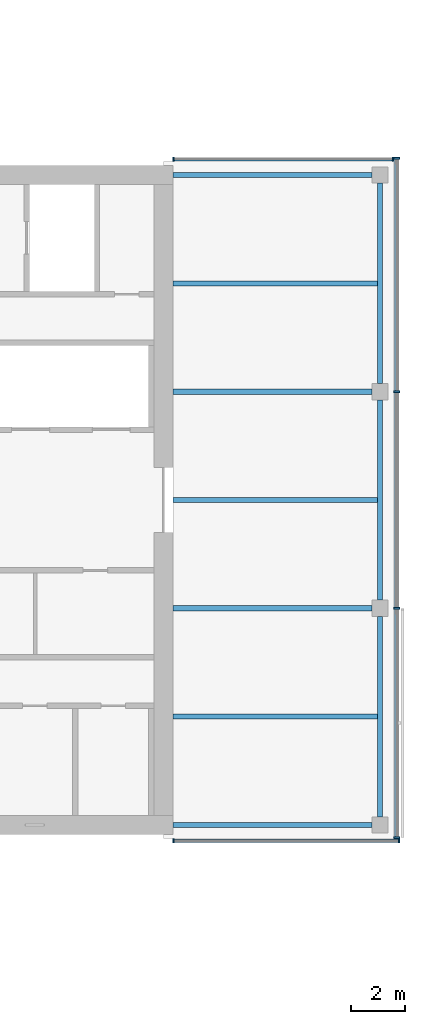
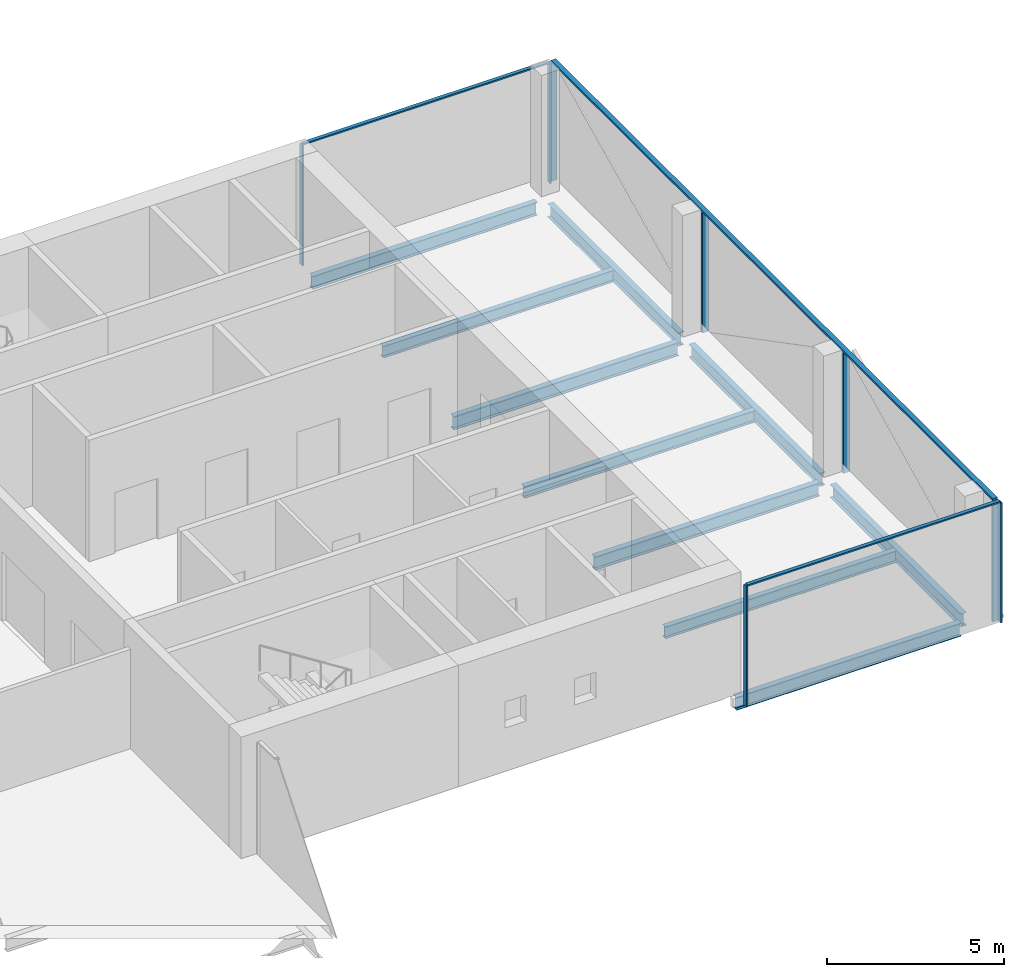
# One storey, part 11 of 22: 11 members, 10 beams, 3 elements without a shape of their own.
"""IFC4 building model written with IfcOpenShell, lengths in metres."""

from ifc_helpers import new_model, si_unit, direction, frame, origin, origin_2d, place, context, subcontext, project, spatial, rectangle, i_section, extrude, material, material_profile, profile_set, type_object, element, aggregate, save


model = new_model("IFC4")

# Units and contexts
model_context = context("Model", 3, precision=1e-05, world=origin(), true_north=direction((0.0, 1.0)))
body_context = subcontext(model_context, "Body", "Model", "MODEL_VIEW")
ifc_project = project(units=[si_unit("LENGTHUNIT", "METRE"), si_unit("AREAUNIT", "SQUARE_METRE"), si_unit("VOLUMEUNIT", "CUBIC_METRE"), si_unit("PLANEANGLEUNIT", "RADIAN"), si_unit("MASSUNIT", "GRAM", prefix="KILO")], contexts=[model_context])

# Site, building, storey
site_placement = place(None, origin())
site = spatial("IfcSite", under=ifc_project, at=site_placement, CompositionType="ELEMENT")
building_placement = place(site_placement, origin())
building = spatial("IfcBuilding", under=site, at=building_placement, Name="Crosswind Convention Tower", CompositionType="ELEMENT")
storey_placement = place(building_placement, frame((0.0, 0.0, 158.89990234375)))
storey = spatial("IfcBuildingStorey", under=building, at=storey_placement, Name="L33", CompositionType="ELEMENT", Elevation=158.89990234375)

# Beams
ifc_material_1 = material(Name="Steel S355", Category="steel")
ifc_material_profile_1 = material_profile(ifc_material_1, i_section(OverallWidth=0.18994140625, OverallDepth=0.45361328125, WebThickness=0.008544921875, FlangeThickness=0.0126953125, FilletRadius=0.01025390625, at=origin_2d()), Name="UB 457x191x67")
ifc_profile_set_1 = profile_set([ifc_material_profile_1], Name="Steel S355")
beam_type_1 = type_object("IfcBeamType", Name="Edge beam UB 457x191x67", PredefinedType="SPANDREL", material=ifc_profile_set_1)
for number, where, z_axis, x_axis, name in (
    (1, (153.35009765625, 88.0, -0.526611328125), (1.0, 0.0, 0.0), (0.0, 1.0, 0.0), "B16 L33 edge beam 20"),
    (2, (153.35009765625, 112.0, -0.526611328125), (1.0, 0.0, 0.0), (0.0, 1.0, 0.0), "B16 L33 edge beam 21"),
):
    element("IfcBeam", number, at=place(storey_placement, frame(where, z_axis=z_axis, x_axis=x_axis)), inside=storey, type_object=beam_type_1, Name=name, PredefinedType="SPANDREL", context=body_context, shape_type="SweptSolid", body=[
        extrude(i_section(OverallWidth=0.18994140625, OverallDepth=0.45361328125, WebThickness=0.008544921875, FlangeThickness=0.0126953125, FilletRadius=0.01025390625, at=origin_2d()), origin(), (0.0, 0.0, 1.0), 7.349853515625),
    ])
for number, where, z_axis, x_axis, name in (
    (3, (161.0, 88.300048828125, -0.526611328125), (0.0, 1.0, 0.0), (-1.0, 0.0, 0.0), "B16 L33 edge beam 22"),
    (4, (161.0, 96.300048828125, -0.526611328125), (0.0, 1.0, 0.0), (-1.0, 0.0, 0.0), "B16 L33 edge beam 23"),
    (5, (161.0, 104.300048828125, -0.526611328125), (0.0, 1.0, 0.0), (-1.0, 0.0, 0.0), "B16 L33 edge beam 24"),
):
    element("IfcBeam", number, at=place(storey_placement, frame(where, z_axis=z_axis, x_axis=x_axis)), inside=storey, type_object=beam_type_1, Name=name, PredefinedType="SPANDREL", context=body_context, shape_type="SweptSolid", body=[
        extrude(i_section(OverallWidth=0.18994140625, OverallDepth=0.45361328125, WebThickness=0.008544921875, FlangeThickness=0.0126953125, FilletRadius=0.01025390625, at=origin_2d()), origin(), (0.0, 0.0, 1.0), 7.39990234375),
    ])
ifc_material_profile_2 = material_profile(ifc_material_1, i_section(OverallWidth=0.19189453125, OverallDepth=0.463623046875, WebThickness=0.010498046875, FlangeThickness=0.017578125, FilletRadius=0.01025390625, at=origin_2d()), Name="UB 457x191x90")
ifc_profile_set_2 = profile_set([ifc_material_profile_2], Name="Steel S355")
beam_type_2 = type_object("IfcBeamType", Name="Girder at core wall UB 457x191x90", PredefinedType="BEAM", material=ifc_profile_set_2)
for number, where, z_axis, x_axis, name in (
    (6, (153.35009765625, 96.0, -0.53173828125), (1.0, 0.0, 0.0), (0.0, 1.0, 0.0), "B24 L33 girder at core wall 11"),
    (7, (153.35009765625, 104.0, -0.53173828125), (1.0, 0.0, 0.0), (0.0, 1.0, 0.0), "B24 L33 girder at core wall 12"),
):
    element("IfcBeam", number, at=place(storey_placement, frame(where, z_axis=z_axis, x_axis=x_axis)), inside=storey, type_object=beam_type_2, Name=name, PredefinedType="BEAM", context=body_context, shape_type="SweptSolid", body=[
        extrude(i_section(OverallWidth=0.19189453125, OverallDepth=0.463623046875, WebThickness=0.010498046875, FlangeThickness=0.017578125, FilletRadius=0.01025390625, at=origin_2d()), origin(), (0.0, 0.0, 1.0), 7.349853515625),
    ])

# Curtain wall, members
ifc_material_2 = material(Name="Aluminium unitised curtain wall", Category="aluminium")
curtain_wall_type_1 = type_object("IfcCurtainWallType", Name="CORE END SLOT WALL 160", PredefinedType="USERDEFINED", material=ifc_material_2)
curtain_wall_1_placement = place(storey_placement, origin())
curtain_wall_1 = element("IfcCurtainWall", 8, at=curtain_wall_1_placement, inside=storey, type_object=curtain_wall_type_1, Name="CW6 L33 E-N.1-1 slot", ObjectType="UNITISED", PredefinedType="USERDEFINED")
ifc_material_3 = material(Name="Aluminium mullion", Category="aluminium")
ifc_material_profile_3 = material_profile(ifc_material_3, rectangle(XDim=0.159912109375, YDim=0.050048828125, at=origin_2d()), Name="AL 160X50")
ifc_profile_set_3 = profile_set([ifc_material_profile_3], Name="Aluminium mullion")
member_type_1 = type_object("IfcMemberType", Name="MULLION 50X160", PredefinedType="MULLION", material=ifc_profile_set_3)
member_1_placement = place(storey_placement, frame((161.47509765625, 112.580078125, -0.2998046875), z_axis=(0.0, 0.0, 1.0), x_axis=(0.0, 1.0, 0.0)))
member_1 = element("IfcMember", 9, at=member_1_placement, type_object=member_type_1, Name="CW6 mullion 1", PredefinedType="MULLION", context=body_context, shape_type="SweptSolid", body=[
    extrude(rectangle(XDim=0.159912109375, YDim=0.050048828125, at=origin_2d()), origin(), (0.0, 0.0, 1.0), 4.14990234375),
])
member_2_placement = place(storey_placement, frame((153.375, 112.580078125, -0.2998046875), z_axis=(0.0, 0.0, 1.0), x_axis=(0.0, 1.0, 0.0)))
member_2 = element("IfcMember", 10, at=member_2_placement, type_object=member_type_1, Name="CW6 mullion 2", PredefinedType="MULLION", context=body_context, shape_type="SweptSolid", body=[
    extrude(rectangle(XDim=0.159912109375, YDim=0.050048828125, at=origin_2d()), origin(), (0.0, 0.0, 1.0), 4.14990234375),
])

curtain_wall_2_placement = place(storey_placement, origin())
curtain_wall_2 = element("IfcCurtainWall", 11, at=curtain_wall_2_placement, inside=storey, type_object=curtain_wall_type_1, Name="CW6 L33 E-S.2-1 slot", ObjectType="UNITISED", PredefinedType="USERDEFINED")
member_3_placement = place(storey_placement, frame((153.375, 87.419921875, -0.2998046875), z_axis=(0.0, 0.0, 1.0), x_axis=(0.0, -1.0, 0.0)))
member_3 = element("IfcMember", 12, at=member_3_placement, type_object=member_type_1, Name="CW6 mullion 1", PredefinedType="MULLION", context=body_context, shape_type="SweptSolid", body=[
    extrude(rectangle(XDim=0.159912109375, YDim=0.050048828125, at=origin_2d()), origin(), (0.0, 0.0, 1.0), 4.14990234375),
])
member_4_placement = place(storey_placement, frame((161.695068359375, 87.419921875, -0.2998046875), z_axis=(0.0, 0.0, 1.0), x_axis=(0.0, -1.0, 0.0)))
member_4 = element("IfcMember", 13, at=member_4_placement, type_object=member_type_1, Name="CW6 mullion 2", PredefinedType="MULLION", context=body_context, shape_type="SweptSolid", body=[
    extrude(rectangle(XDim=0.159912109375, YDim=0.050048828125, at=origin_2d()), origin(), (0.0, 0.0, 1.0), 4.14990234375),
])

curtain_wall_type_2 = type_object("IfcCurtainWallType", Name="OFFICE UNITISED WALL 220", PredefinedType="USERDEFINED", material=ifc_material_2)
curtain_wall_3_placement = place(storey_placement, origin())
curtain_wall_3 = element("IfcCurtainWall", 14, at=curtain_wall_3_placement, inside=storey, type_object=curtain_wall_type_2, Name="CW3 L33 E-TIP 1", ObjectType="UNITISED", PredefinedType="USERDEFINED")
ifc_material_profile_4 = material_profile(ifc_material_3, rectangle(XDim=0.219970703125, YDim=0.070068359375, at=origin_2d()), Name="AL 220X70")
ifc_profile_set_4 = profile_set([ifc_material_profile_4], Name="Aluminium mullion")
member_type_2 = type_object("IfcMemberType", Name="MULLION 70X220", PredefinedType="MULLION", material=ifc_profile_set_4)
member_5_placement = place(storey_placement, frame((161.610107421875, 87.534912109375, -0.2998046875), z_axis=(0.0, 0.0, 1.0), x_axis=(1.0, 0.0, 0.0)))
member_5 = element("IfcMember", 15, at=member_5_placement, type_object=member_type_2, Name="CW3 mullion 1", PredefinedType="MULLION", context=body_context, shape_type="SweptSolid", body=[
    extrude(rectangle(XDim=0.219970703125, YDim=0.070068359375, at=origin_2d()), origin(), (0.0, 0.0, 1.0), 4.1298828125),
])
member_6_placement = place(storey_placement, frame((161.610107421875, 96.0, -0.2998046875), z_axis=(0.0, 0.0, 1.0), x_axis=(1.0, 0.0, 0.0)))
member_6 = element("IfcMember", 16, at=member_6_placement, type_object=member_type_2, Name="CW3 mullion 2", PredefinedType="MULLION", context=body_context, shape_type="SweptSolid", body=[
    extrude(rectangle(XDim=0.219970703125, YDim=0.070068359375, at=origin_2d()), origin(), (0.0, 0.0, 1.0), 4.1298828125),
])
member_7_placement = place(storey_placement, frame((161.610107421875, 104.0, -0.2998046875), z_axis=(0.0, 0.0, 1.0), x_axis=(1.0, 0.0, 0.0)))
member_7 = element("IfcMember", 17, at=member_7_placement, type_object=member_type_2, Name="CW3 mullion 3", PredefinedType="MULLION", context=body_context, shape_type="SweptSolid", body=[
    extrude(rectangle(XDim=0.219970703125, YDim=0.070068359375, at=origin_2d()), origin(), (0.0, 0.0, 1.0), 4.1298828125),
])
member_8_placement = place(storey_placement, frame((161.610107421875, 112.625, -0.2998046875), z_axis=(0.0, 0.0, 1.0), x_axis=(1.0, 0.0, 0.0)))
member_8 = element("IfcMember", 18, at=member_8_placement, type_object=member_type_2, Name="CW3 mullion 4", PredefinedType="MULLION", context=body_context, shape_type="SweptSolid", body=[
    extrude(rectangle(XDim=0.219970703125, YDim=0.070068359375, at=origin_2d()), origin(), (0.0, 0.0, 1.0), 4.1298828125),
])

# Beams
ifc_material_profile_5 = material_profile(ifc_material_1, i_section(OverallWidth=0.177734375, OverallDepth=0.406494140625, WebThickness=0.0078125, FlangeThickness=0.0126953125, FilletRadius=0.01025390625, at=origin_2d()), Name="UB 406x178x60")
ifc_profile_set_5 = profile_set([ifc_material_profile_5], Name="Steel S355")
beam_type_3 = type_object("IfcBeamType", Name="Secondary beam UB 406x178x60", PredefinedType="JOIST", material=ifc_profile_set_5)
for number, where, z_axis, x_axis, name in (
    (19, (153.35009765625, 92.0, -0.503173828125), (1.0, 0.0, 0.0), (0.0, 1.0, 0.0), "B10 L33 secondary beam 25"),
    (20, (153.35009765625, 100.0, -0.503173828125), (1.0, 0.0, 0.0), (0.0, 1.0, 0.0), "B10 L33 secondary beam 26"),
    (21, (153.35009765625, 108.0, -0.503173828125), (1.0, 0.0, 0.0), (0.0, 1.0, 0.0), "B10 L33 secondary beam 27"),
):
    element("IfcBeam", number, at=place(storey_placement, frame(where, z_axis=z_axis, x_axis=x_axis)), inside=storey, type_object=beam_type_3, Name=name, PredefinedType="JOIST", context=body_context, shape_type="SweptSolid", body=[
        extrude(i_section(OverallWidth=0.177734375, OverallDepth=0.406494140625, WebThickness=0.0078125, FlangeThickness=0.0126953125, FilletRadius=0.01025390625, at=origin_2d()), origin(), (0.0, 0.0, 1.0), 7.554931640625),
    ])

# Member
ifc_material_4 = material(Name="Aluminium transom", Category="aluminium")
ifc_material_profile_6 = material_profile(ifc_material_4, rectangle(XDim=0.1201171875, YDim=0.050048828125, at=origin_2d()), Name="AL 120X50")
ifc_profile_set_6 = profile_set([ifc_material_profile_6], Name="Aluminium transom")
member_type_3 = type_object("IfcMemberType", Name="TRANSOM 50X120", PredefinedType="USERDEFINED", material=ifc_profile_set_6)
member_9_placement = place(storey_placement, frame((161.449951171875, 112.580078125, 3.875), z_axis=(-1.0, 0.0, 0.0), x_axis=(0.0, -1.0, 0.0)))
member_9 = element("IfcMember", 22, at=member_9_placement, type_object=member_type_3, Name="CW6 transom", ObjectType="TRANSOM", PredefinedType="USERDEFINED", context=body_context, shape_type="SweptSolid", body=[
    extrude(rectangle(XDim=0.1201171875, YDim=0.050048828125, at=origin_2d()), origin(), (0.0, 0.0, 1.0), 8.050048828125),
])

aggregate(curtain_wall_1, [member_1, member_2, member_9])

member_10_placement = place(storey_placement, frame((153.39990234375, 87.419921875, 3.875), z_axis=(1.0, 0.0, 0.0), x_axis=(0.0, 1.0, 0.0)))
member_10 = element("IfcMember", 23, at=member_10_placement, type_object=member_type_3, Name="CW6 transom", ObjectType="TRANSOM", PredefinedType="USERDEFINED", context=body_context, shape_type="SweptSolid", body=[
    extrude(rectangle(XDim=0.1201171875, YDim=0.050048828125, at=origin_2d()), origin(), (0.0, 0.0, 1.0), 8.27001953125),
])

aggregate(curtain_wall_2, [member_3, member_4, member_10])

ifc_material_profile_7 = material_profile(ifc_material_4, rectangle(XDim=0.159912109375, YDim=0.070068359375, at=origin_2d()), Name="AL 160X70")
ifc_profile_set_7 = profile_set([ifc_material_profile_7], Name="Aluminium transom")
member_type_4 = type_object("IfcMemberType", Name="TRANSOM 70X160", PredefinedType="USERDEFINED", material=ifc_profile_set_7)
member_11_placement = place(storey_placement, frame((161.610107421875, 87.570068359375, 3.864990234375), z_axis=(0.0, 1.0, 0.0), x_axis=(-1.0, 0.0, 0.0)))
member_11 = element("IfcMember", 24, at=member_11_placement, type_object=member_type_4, Name="CW3 transom", ObjectType="TRANSOM", PredefinedType="USERDEFINED", context=body_context, shape_type="SweptSolid", body=[
    extrude(rectangle(XDim=0.159912109375, YDim=0.070068359375, at=origin_2d()), origin(), (0.0, 0.0, 1.0), 25.02001953125),
])

aggregate(curtain_wall_3, [member_5, member_6, member_7, member_8, member_11])

save(model, "model.ifc")
